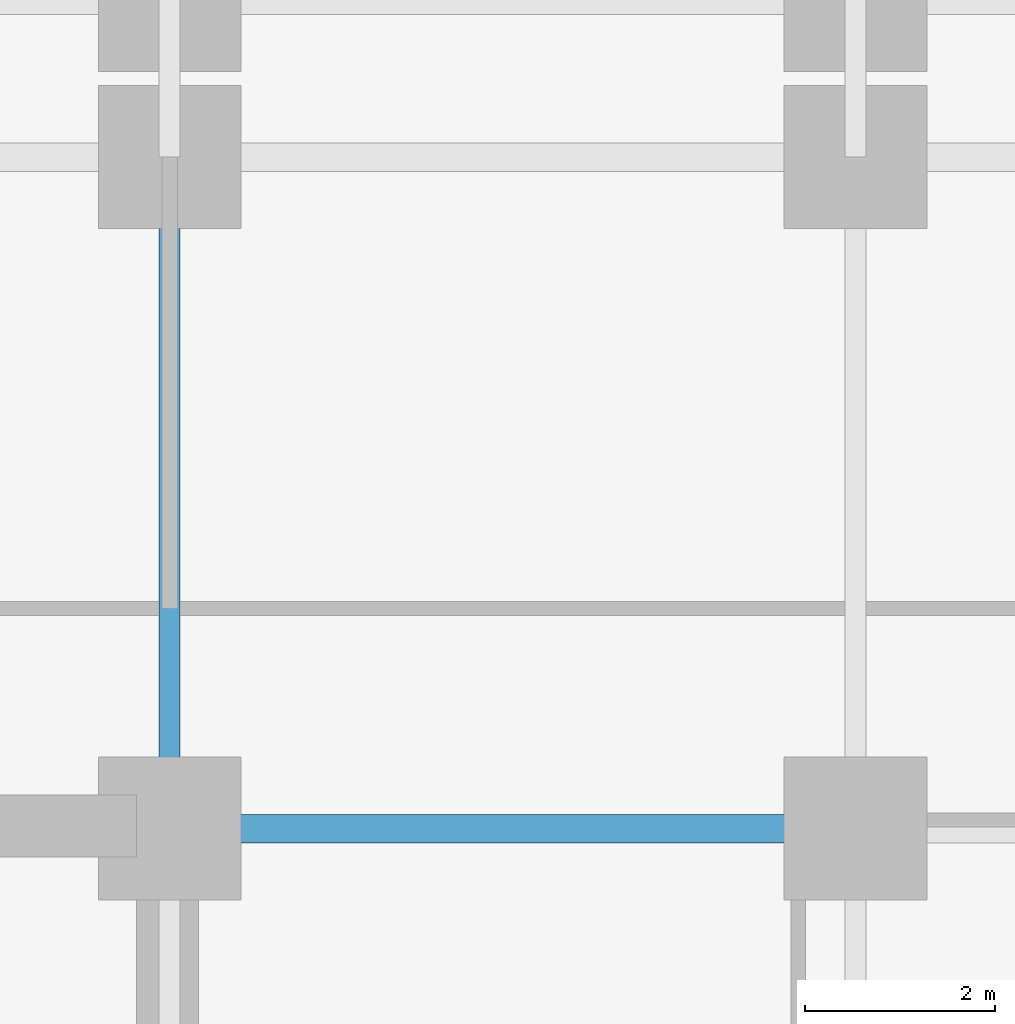
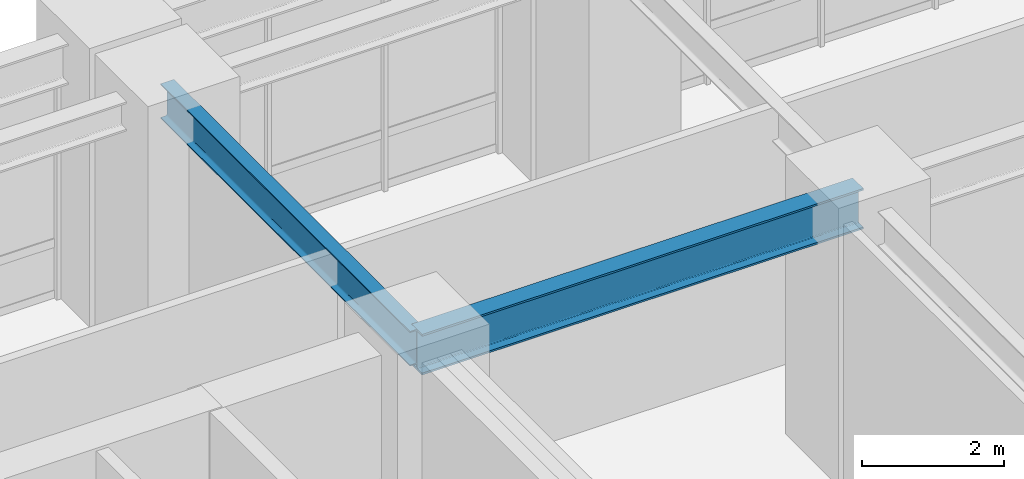
# One storey, part 5 of 22: 2 beams.
"""IFC4 building model written with IfcOpenShell, lengths in metres."""

import ifcopenshell
import ifcopenshell.guid

model = None  # the IFC model being written
_history = None  # IfcOwnerHistory: only IFC2X3 demands one
_inside = {}  # id of a spatial element -> (the spatial element, [elements in it])
_under = {}  # id of a project, library or spatial element -> (it, [spatial elements below it])
_declared = {}  # id of a project -> (the project, [libraries it declares])
_typed = {}  # id of a type object -> (the type object, [elements of that type])
_made_of = {}  # id of a material, layer set ... -> (it, [elements and type objects made of it])


def new_model(schema):
    """Start an empty IFC model of exactly this schema.

    Asked for "IFC4X3", IfcOpenShell would pick the latest addendum, in which some entities
    have other attributes; the version numbers below select the first issue.
    IFC2X3 requires an IfcOwnerHistory on every rooted entity: one is made here for all.
    """
    global model, _history
    if schema == "IFC4X3":
        model = ifcopenshell.file(schema_version=(4, 3, 0, 0))
    else:
        model = ifcopenshell.file(schema=schema)
    _inside.clear()
    _under.clear()
    _declared.clear()
    _typed.clear()
    _made_of.clear()
    _history = None
    if model.schema == "IFC2X3":
        org = make("IfcOrganization", Name="unknown")
        user = make(
            "IfcPersonAndOrganization",
            ThePerson=make("IfcPerson", FamilyName="unknown"),
            TheOrganization=org,
        )
        app = make(
            "IfcApplication",
            ApplicationDeveloper=org,
            Version="unknown",
            ApplicationFullName="unknown",
            ApplicationIdentifier="unknown",
        )
        _history = make(
            "IfcOwnerHistory",
            OwningUser=user,
            OwningApplication=app,
            ChangeAction="ADDED",
            CreationDate=0,
        )
    return model


def make(cls, **values):
    """One entity of the class cls with the attributes given. An attribute that is None is left unset."""
    return model.create_entity(
        cls, **{name: value for name, value in values.items() if value is not None}
    )


def rooted(cls, **values):
    """An entity with a GlobalId (a new one), such as an element, a storey or a relation."""
    return make(cls, GlobalId=ifcopenshell.guid.new(), OwnerHistory=_history, **values)


def si_unit(unit_type, name, prefix=None):
    """IfcSIUnit, for example si_unit("LENGTHUNIT", "METRE", prefix="MILLI")."""
    return make("IfcSIUnit", UnitType=unit_type, Prefix=prefix, Name=name)


def assignment(units):
    """IfcUnitAssignment: the units of a project."""
    return None if units is None else make("IfcUnitAssignment", Units=units)


def point(xyz):
    """IfcCartesianPoint."""
    return None if xyz is None else make("IfcCartesianPoint", Coordinates=xyz)


def direction(xyz):
    """IfcDirection."""
    return None if xyz is None else make("IfcDirection", DirectionRatios=xyz)


def frame(location, z_axis=None, x_axis=None):
    """IfcAxis2Placement3D, a coordinate frame: its origin and axes. An axis left out is left unset."""
    return make(
        "IfcAxis2Placement3D",
        Location=point(location),
        Axis=direction(z_axis),
        RefDirection=direction(x_axis),
    )


def frame_2d(location, x_axis=None):
    """IfcAxis2Placement2D, a coordinate frame in the plane: its origin and x axis."""
    return make(
        "IfcAxis2Placement2D", Location=point(location), RefDirection=direction(x_axis)
    )


def origin():
    """The frame at (0, 0, 0) with its axes left unset."""
    return frame((0.0, 0.0, 0.0))


def origin_2d():
    """The frame at (0, 0) in the plane with its x axis left unset."""
    return frame_2d((0.0, 0.0))


def place(relative_to, where):
    """IfcLocalPlacement: puts the frame where relative to a parent placement (None: the world)."""
    return make(
        "IfcLocalPlacement", PlacementRelTo=relative_to, RelativePlacement=where
    )


def context(
    kind, dimensions, precision=None, world=None, true_north=None, identifier=None
):
    """IfcGeometricRepresentationContext, for example the 3D "Model" context."""
    return make(
        "IfcGeometricRepresentationContext",
        ContextIdentifier=identifier,
        ContextType=kind,
        CoordinateSpaceDimension=dimensions,
        Precision=precision,
        WorldCoordinateSystem=world,
        TrueNorth=true_north,
    )


def subcontext(parent, identifier, kind, view, scale=None):
    """IfcGeometricRepresentationSubContext, for example "Body" below "Model"."""
    return make(
        "IfcGeometricRepresentationSubContext",
        ContextIdentifier=identifier,
        ContextType=kind,
        ParentContext=parent,
        TargetScale=scale,
        TargetView=view,
    )


def project(units=None, contexts=None):
    """IfcProject with its units and contexts."""
    return rooted(
        "IfcProject",
        Name="project",
        RepresentationContexts=contexts,
        UnitsInContext=assignment(units),
    )


def spatial(cls, under=None, at=None, **own):
    """A site, building, storey or space (cls), placed at a placement, below another one or the project."""
    s = rooted(cls, ObjectPlacement=at, **own)
    if under is not None:
        _under.setdefault(under.id(), (under, []))[1].append(s)
    return s


def profile(cls, at=None, kind="AREA", **sizes):
    """A parametric profile (cls). Its sizes go by their IFC names, for example OverallWidth=200.0."""
    return make(cls, ProfileType=kind, Position=at, **sizes)


def i_section(**sizes):
    """IfcIShapeProfileDef."""
    return profile("IfcIShapeProfileDef", **sizes)


def extrude(swept, where, along, depth):
    """IfcExtrudedAreaSolid: the profile swept, set in the frame where, extruded along a direction by depth."""
    return make(
        "IfcExtrudedAreaSolid",
        SweptArea=swept,
        Position=where,
        ExtrudedDirection=direction(along),
        Depth=depth,
    )


def shape(context_of_items, identifier, shape_type, items):
    """IfcShapeRepresentation: the items that make up one representation, for example the "Body"."""
    return make(
        "IfcShapeRepresentation",
        ContextOfItems=context_of_items,
        RepresentationIdentifier=identifier,
        RepresentationType=shape_type,
        Items=items,
    )


def source(mapping_origin, context_of_items, identifier, shape_type, items):
    """IfcRepresentationMap: a shape defined once, which mapped items show again and again."""
    return make(
        "IfcRepresentationMap",
        MappingOrigin=mapping_origin,
        MappedRepresentation=shape(context_of_items, identifier, shape_type, items),
    )


def transform(
    local_origin,
    x_axis=None,
    y_axis=None,
    z_axis=None,
    scale=None,
    scale2=None,
    scale3=None,
    uniform=True,
):
    """IfcCartesianTransformationOperator3D, or its non-uniform kind. x_axis, y_axis, z_axis: its Axis1, 2, 3."""
    if uniform:
        return make(
            "IfcCartesianTransformationOperator3D",
            Axis1=direction(x_axis),
            Axis2=direction(y_axis),
            LocalOrigin=point(local_origin),
            Scale=scale,
            Axis3=direction(z_axis),
        )
    return make(
        "IfcCartesianTransformationOperator3DnonUniform",
        Axis1=direction(x_axis),
        Axis2=direction(y_axis),
        LocalOrigin=point(local_origin),
        Scale=scale,
        Axis3=direction(z_axis),
        Scale2=scale2,
        Scale3=scale3,
    )


def mapped(mapping_source, mapping_target):
    """IfcMappedItem: shows the shape of a source again, moved by a transform."""
    return make(
        "IfcMappedItem", MappingSource=mapping_source, MappingTarget=mapping_target
    )


def material(Name=None, Category=None):
    """IfcMaterial."""
    return make("IfcMaterial", Name=Name, Category=Category)


def material_profile(
    of_material, cross_section, Name=None, Category=None, Priority=None
):
    """IfcMaterialProfile: a cross section and its material."""
    return make(
        "IfcMaterialProfile",
        Name=Name,
        Material=of_material,
        Profile=cross_section,
        Priority=Priority,
        Category=Category,
    )


def profile_set(profiles, Name=None, composite=None):
    """IfcMaterialProfileSet."""
    return make(
        "IfcMaterialProfileSet",
        Name=Name,
        MaterialProfiles=profiles,
        CompositeProfile=composite,
    )


def made_of(thing, what):
    """Note that an element or type object is made of a material, layer set ...; save() writes the relation."""
    if what is not None:
        _made_of.setdefault(what.id(), (what, []))[1].append(thing)
    return thing


def type_object(cls, material=None, **own):
    """A type object (cls), such as IfcWallType, which elements share."""
    return made_of(rooted(cls, **own), material)


def element(
    cls,
    number,
    at=None,
    inside=None,
    cuts=None,
    type_object=None,
    material=None,
    context=None,
    identifier="Body",
    shape_type=None,
    held_by="IfcProductDefinitionShape",
    body=None,
    shapes=None,
    **own,
):
    """One element of the class cls, such as IfcWall. Its Tag is "e" and its number.

    at: its placement. inside: the storey or other place that contains it. cuts: it is an
    opening in that element (IfcRelVoidsElement). A single representation is given by context,
    identifier, shape_type and body (its items); several are given by shapes. held_by: the class
    of the entity that holds the representations. save() writes the other relations.
    """
    e = rooted(cls, Tag="e%d" % number, ObjectPlacement=at, **own)
    if body is not None:
        shapes = [shape(context, identifier, shape_type, body)]
    if shapes is not None:
        e.Representation = make(held_by, Representations=shapes)
    if inside is not None:
        _inside.setdefault(inside.id(), (inside, []))[1].append(e)
    if cuts is not None:
        rooted(
            "IfcRelVoidsElement", RelatingBuildingElement=cuts, RelatedOpeningElement=e
        )
    if type_object is not None:
        _typed.setdefault(type_object.id(), (type_object, []))[1].append(e)
    return made_of(e, material)


def aggregate(whole, parts):
    """IfcRelAggregates: a whole, such as a stair, and the parts it consists of."""
    return rooted("IfcRelAggregates", RelatingObject=whole, RelatedObjects=parts)


def save(model, path):
    """Write the relations noted so far, then the file.

    IfcRelAggregates (storeys below a building ...), IfcRelContainedInSpatialStructure (elements
    in a storey), IfcRelDefinesByType, IfcRelAssociatesMaterial and IfcRelDeclares: one each for
    every whole, place, type object, material and project.
    """
    for whole, parts in _under.values():
        aggregate(whole, parts)
    for where, things in _inside.values():
        rooted(
            "IfcRelContainedInSpatialStructure",
            RelatedElements=things,
            RelatingStructure=where,
        )
    for kind, things in _typed.values():
        rooted("IfcRelDefinesByType", RelatedObjects=things, RelatingType=kind)
    for what, things in _made_of.values():
        rooted("IfcRelAssociatesMaterial", RelatedObjects=things, RelatingMaterial=what)
    for by, libraries in _declared.values():
        rooted("IfcRelDeclares", RelatingContext=by, RelatedDefinitions=libraries)
    model.write(path)


model = new_model("IFC4")

# Units and contexts
model_context = context("Model", 3, precision=1e-05, world=origin(), true_north=direction((0.0, 1.0)))
body_context = subcontext(model_context, "Body", "Model", "MODEL_VIEW")
ifc_project = project(units=[si_unit("LENGTHUNIT", "METRE"), si_unit("AREAUNIT", "SQUARE_METRE"), si_unit("VOLUMEUNIT", "CUBIC_METRE"), si_unit("PLANEANGLEUNIT", "RADIAN"), si_unit("MASSUNIT", "GRAM", prefix="KILO")], contexts=[model_context])

# Site, building, storey
site_placement = place(None, origin())
site = spatial("IfcSite", under=ifc_project, at=site_placement, CompositionType="ELEMENT")
building_placement = place(site_placement, origin())
building = spatial("IfcBuilding", under=site, at=building_placement, Name="Kaliganga Portal Commons", CompositionType="ELEMENT")
storey_placement = place(building_placement, frame((0.0, 0.0, 10.199951171875)))
storey = spatial("IfcBuildingStorey", under=building, at=storey_placement, Name="L02", CompositionType="ELEMENT", Elevation=10.199951171875)

# Beams
ifc_material = material(Name="Structural steel S355J2", Category="steel")
ifc_material_profile_1 = material_profile(ifc_material, i_section(OverallWidth=0.300048828125, OverallDepth=0.699951171875, WebThickness=0.01708984375, FlangeThickness=0.031982421875, FilletRadius=0.027099609375, at=origin_2d()), Name="HE 700 B")
ifc_profile_set_1 = profile_set([ifc_material_profile_1], Name="Structural steel S355J2 wide-flange")
beam_type_1 = type_object("IfcBeamType", Name="BM-GIRD-700", PredefinedType="USERDEFINED", material=ifc_profile_set_1)
shared_shape_1 = source(origin(), body_context, "Body", "SweptSolid", [
    extrude(i_section(OverallWidth=0.300048828125, OverallDepth=0.699951171875, WebThickness=0.01708984375, FlangeThickness=0.031982421875, FilletRadius=0.027099609375, at=origin_2d()), origin(), (0.0, 0.0, 1.0), 7.199951171875),
])
beam_1_placement = place(storey_placement, frame((28.800048828125, 36.14990234375, 4.170166015625), z_axis=(1.0, 0.0, 0.0), x_axis=(0.0, 1.0, 0.0)))
element("IfcBeam", 1, at=beam_1_placement, inside=storey, type_object=beam_type_1, Name="BM G L02 WAE_N 1", ObjectType="GIRDER", PredefinedType="USERDEFINED", context=body_context, shape_type="MappedRepresentation", body=[
    mapped(shared_shape_1, transform((0.0, 0.0, 0.0), x_axis=(1.0, 0.0, 0.0), y_axis=(0.0, 1.0, 0.0), z_axis=(0.0, 0.0, 1.0), scale=1.0)),
])
ifc_material_profile_2 = material_profile(ifc_material, i_section(OverallWidth=0.219970703125, OverallDepth=0.60009765625, WebThickness=0.011962890625, FlangeThickness=0.01904296875, FilletRadius=0.02392578125, at=origin_2d()), Name="IPE 600")
ifc_profile_set_2 = profile_set([ifc_material_profile_2], Name="Structural steel S355J2 wide-flange")
beam_type_2 = type_object("IfcBeamType", Name="BM-FLR-600", PredefinedType="BEAM", material=ifc_profile_set_2)
shared_shape_2 = source(origin(), body_context, "Body", "SweptSolid", [
    extrude(i_section(OverallWidth=0.219970703125, OverallDepth=0.60009765625, WebThickness=0.011962890625, FlangeThickness=0.01904296875, FilletRadius=0.02392578125, at=origin_2d()), origin(), (0.0, 0.0, 1.0), 7.050048828125),
])
beam_2_placement = place(storey_placement, frame((28.800048828125, 36.14990234375, 4.219970703125), z_axis=(0.0, 1.0, 0.0), x_axis=(-1.0, 0.0, 0.0)))
element("IfcBeam", 2, at=beam_2_placement, inside=storey, type_object=beam_type_2, Name="BM G L02 AN288", PredefinedType="BEAM", context=body_context, shape_type="MappedRepresentation", body=[
    mapped(shared_shape_2, transform((0.0, 0.0, 0.0), x_axis=(1.0, 0.0, 0.0), y_axis=(0.0, 1.0, 0.0), z_axis=(0.0, 0.0, 1.0), scale=1.0)),
])

save(model, "model.ifc")
